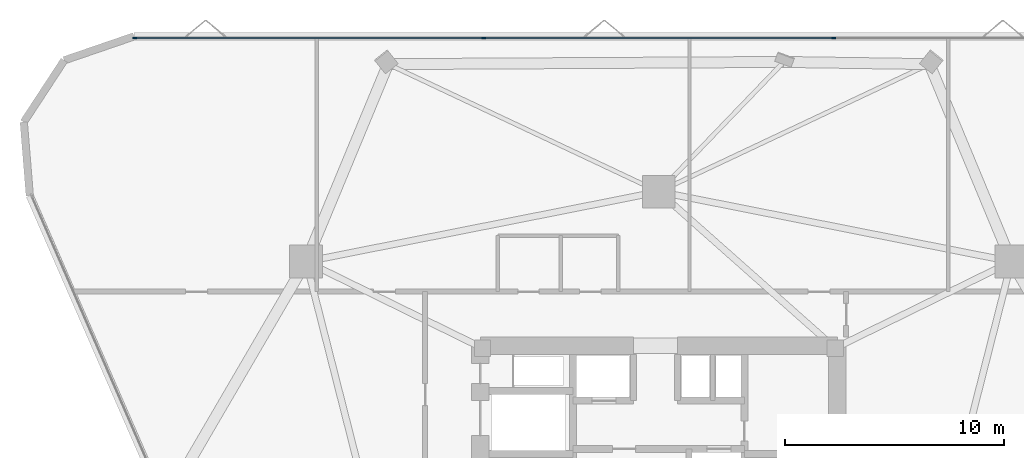
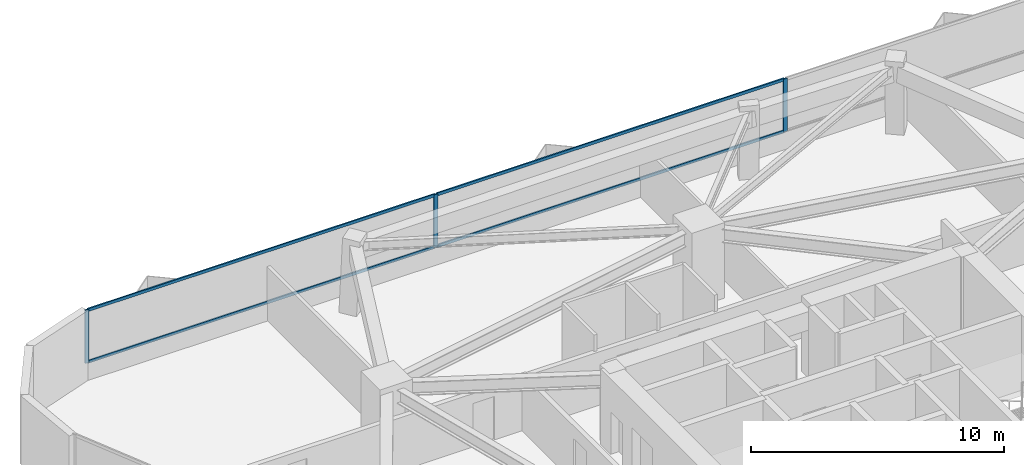
# One storey, part 8 of 14: 7 members, 1 element without a shape of its own.
"""IFC4 building model written with IfcOpenShell, lengths in metres."""

from ifc_helpers import new_model, si_unit, direction, frame, origin, origin_2d, place, context, subcontext, project, spatial, rectangle, extrude, material, layer, layer_set, material_profile, profile_set, type_object, element, aggregate, save


model = new_model("IFC4")

# Units and contexts
model_context = context("Model", 3, precision=1e-05, world=origin(), true_north=direction((0.0, 1.0)))
body_context = subcontext(model_context, "Body", "Model", "MODEL_VIEW")
ifc_project = project(units=[si_unit("LENGTHUNIT", "METRE"), si_unit("AREAUNIT", "SQUARE_METRE"), si_unit("VOLUMEUNIT", "CUBIC_METRE"), si_unit("PLANEANGLEUNIT", "RADIAN"), si_unit("MASSUNIT", "GRAM", prefix="KILO")], contexts=[model_context])

# Site, building, storey
site_placement = place(None, origin())
site = spatial("IfcSite", under=ifc_project, at=site_placement, CompositionType="ELEMENT")
building_placement = place(site_placement, origin())
building = spatial("IfcBuilding", under=site, at=building_placement, Name="Talyreon Biosciences Tower", CompositionType="ELEMENT")
storey_placement = place(building_placement, frame((0.0, 0.0, 138.14990234375)))
storey = spatial("IfcBuildingStorey", under=building, at=storey_placement, Name="L36", CompositionType="ELEMENT", Elevation=138.14990234375)

# Curtain wall, members
ifc_material_1 = material(Name="Thermally broken aluminium and low-E glazing", Category="aluminium")
ifc_layer = layer(ifc_material_1, 0.18505859375)
ifc_layer_set = layer_set([ifc_layer], Name="Thermally broken aluminium and low-E glazing")
curtain_wall_type = type_object("IfcCurtainWallType", Name="CurtainWall_Zone3Bioprocess", PredefinedType="NOTDEFINED", material=ifc_layer_set)
curtain_wall_placement = place(storey_placement, origin())
curtain_wall = element("IfcCurtainWall", 1, at=curtain_wall_placement, inside=storey, type_object=curtain_wall_type, Name="L36 Unitised Curtain Wall FCW-L36-04", PredefinedType="NOTDEFINED")
ifc_material_2 = material(Name="Anodised thermally broken aluminium", Category="aluminium")
ifc_material_profile_1 = material_profile(ifc_material_2, rectangle(XDim=0.06494140625, YDim=0.179931640625, at=origin_2d()), Name="ALUM MULLION 65x180")
ifc_profile_set_1 = profile_set([ifc_material_profile_1], Name="Anodised thermally broken aluminium")
member_type_1 = type_object("IfcMemberType", Name="CWMullion_65x180", PredefinedType="MULLION", material=ifc_profile_set_1)
member_1_placement = place(storey_placement, frame((42.07470703125, 88.80615234375, 0.81005859375), z_axis=(0.0, 0.0, 1.0), x_axis=(0.0, 1.0, 0.0)))
member_1 = element("IfcMember", 2, at=member_1_placement, type_object=member_type_1, Name="CW4 mullion 1", PredefinedType="MULLION", context=body_context, shape_type="SweptSolid", body=[
    extrude(rectangle(XDim=0.06494140625, YDim=0.179931640625, at=origin_2d()), origin(), (0.0, 0.0, 1.0), 2.56494140625),
])
member_2_placement = place(storey_placement, frame((58.01416015625, 88.80615234375, 0.81005859375), z_axis=(0.0, 0.0, 1.0), x_axis=(0.0, 1.0, 0.0)))
member_2 = element("IfcMember", 3, at=member_2_placement, type_object=member_type_1, Name="CW4 mullion 2", PredefinedType="MULLION", context=body_context, shape_type="SweptSolid", body=[
    extrude(rectangle(XDim=0.06494140625, YDim=0.179931640625, at=origin_2d()), origin(), (0.0, 0.0, 1.0), 2.56494140625),
])
member_3_placement = place(storey_placement, frame((73.98583984375, 88.80615234375, 0.81005859375), z_axis=(0.0, 0.0, 1.0), x_axis=(0.0, 1.0, 0.0)))
member_3 = element("IfcMember", 4, at=member_3_placement, type_object=member_type_1, Name="CW4 mullion 3", PredefinedType="MULLION", context=body_context, shape_type="SweptSolid", body=[
    extrude(rectangle(XDim=0.06494140625, YDim=0.179931640625, at=origin_2d()), origin(), (0.0, 0.0, 1.0), 2.56494140625),
])
ifc_material_profile_2 = material_profile(ifc_material_2, rectangle(XDim=0.06494140625, YDim=0.139892578125, at=origin_2d()), Name="ALUM TRANSOM 65x140")
ifc_profile_set_2 = profile_set([ifc_material_profile_2], Name="Anodised thermally broken aluminium")
member_type_2 = type_object("IfcMemberType", Name="CWTransom_65x140", PredefinedType="USERDEFINED", material=ifc_profile_set_2)
member_4_placement = place(storey_placement, frame((42.107421875, 88.80615234375, 0.842529296875), z_axis=(1.0, 0.0, 0.0), x_axis=(0.0, 1.0, 0.0)))
member_4 = element("IfcMember", 5, at=member_4_placement, type_object=member_type_2, Name="CW4 transom 1.1", ObjectType="TRANSOM", PredefinedType="USERDEFINED", context=body_context, shape_type="SweptSolid", body=[
    extrude(rectangle(XDim=0.06494140625, YDim=0.139892578125, at=origin_2d()), origin(), (0.0, 0.0, 1.0), 15.874267578125),
])
member_5_placement = place(storey_placement, frame((42.107421875, 88.80615234375, 3.342529296875), z_axis=(1.0, 0.0, 0.0), x_axis=(0.0, 1.0, 0.0)))
member_5 = element("IfcMember", 6, at=member_5_placement, type_object=member_type_2, Name="CW4 transom 1.2", ObjectType="TRANSOM", PredefinedType="USERDEFINED", context=body_context, shape_type="SweptSolid", body=[
    extrude(rectangle(XDim=0.06494140625, YDim=0.139892578125, at=origin_2d()), origin(), (0.0, 0.0, 1.0), 15.874267578125),
])
member_6_placement = place(storey_placement, frame((58.046630859375, 88.80615234375, 0.842529296875), z_axis=(1.0, 0.0, 0.0), x_axis=(0.0, 1.0, 0.0)))
member_6 = element("IfcMember", 7, at=member_6_placement, type_object=member_type_2, Name="CW4 transom 2.1", ObjectType="TRANSOM", PredefinedType="USERDEFINED", context=body_context, shape_type="SweptSolid", body=[
    extrude(rectangle(XDim=0.06494140625, YDim=0.139892578125, at=origin_2d()), origin(), (0.0, 0.0, 1.0), 15.90673828125),
])
member_7_placement = place(storey_placement, frame((58.046630859375, 88.80615234375, 3.342529296875), z_axis=(1.0, 0.0, 0.0), x_axis=(0.0, 1.0, 0.0)))
member_7 = element("IfcMember", 8, at=member_7_placement, type_object=member_type_2, Name="CW4 transom 2.2", ObjectType="TRANSOM", PredefinedType="USERDEFINED", context=body_context, shape_type="SweptSolid", body=[
    extrude(rectangle(XDim=0.06494140625, YDim=0.139892578125, at=origin_2d()), origin(), (0.0, 0.0, 1.0), 15.90673828125),
])
aggregate(curtain_wall, [member_1, member_2, member_3, member_4, member_5, member_6, member_7])

save(model, "model.ifc")
